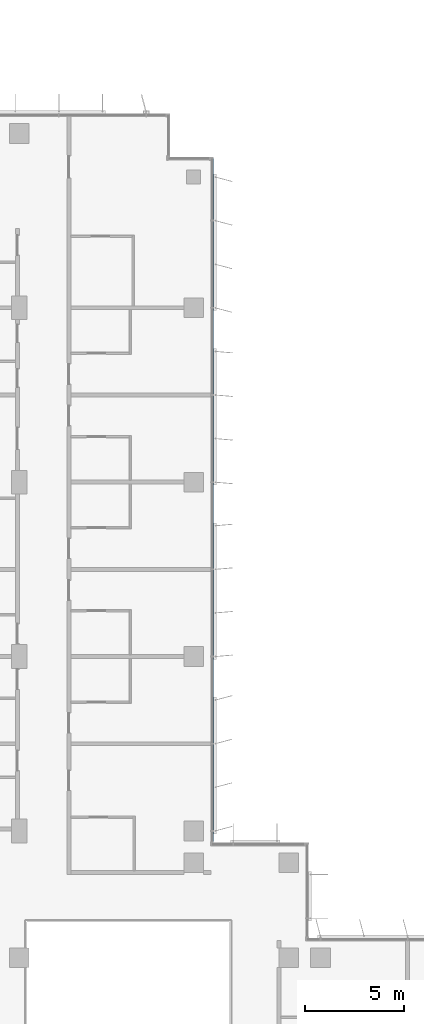
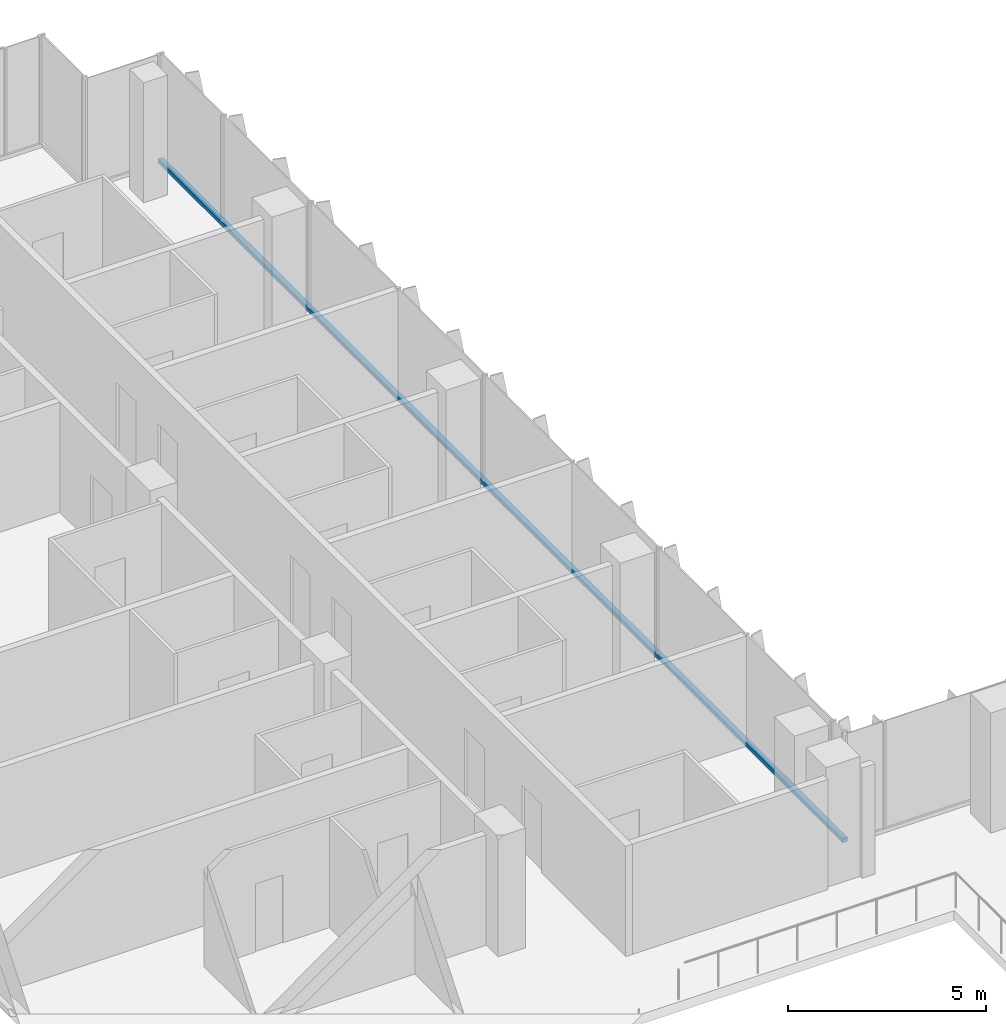
# One storey, part 6 of 21: 1 member, 1 element without a shape of its own.
"""IFC4 building model written with IfcOpenShell, lengths in metres."""

from ifc_helpers import new_model, si_unit, direction, frame, origin, origin_2d, place, context, subcontext, project, spatial, rectangle, extrude, material, material_profile, profile_set, type_object, element, aggregate, save


model = new_model("IFC4")

# Units and contexts
model_context = context("Model", 3, precision=1e-05, world=origin(), true_north=direction((0.0, 1.0)))
body_context = subcontext(model_context, "Body", "Model", "MODEL_VIEW")
ifc_project = project(units=[si_unit("LENGTHUNIT", "METRE"), si_unit("AREAUNIT", "SQUARE_METRE"), si_unit("VOLUMEUNIT", "CUBIC_METRE"), si_unit("PLANEANGLEUNIT", "RADIAN"), si_unit("MASSUNIT", "GRAM", prefix="KILO")], contexts=[model_context])

# Site, building, storey
site_placement = place(None, origin())
site = spatial("IfcSite", under=ifc_project, at=site_placement, CompositionType="ELEMENT")
building_placement = place(site_placement, origin())
building = spatial("IfcBuilding", under=site, at=building_placement, Name="Kemantara Hotel Tower", CompositionType="ELEMENT")
storey_placement = place(building_placement, frame((0.0, 0.0, 156.800048828125)))
storey = spatial("IfcBuildingStorey", under=building, at=storey_placement, Name="L38", CompositionType="ELEMENT", Elevation=156.800048828125)

# Curtain wall, member
ifc_material_1 = material(Name="Low-E tinted double insulated glass 36 mm", Category="glass")
curtain_wall_type = type_object("IfcCurtainWallType", Name="TOWER CURTAIN WALL, FRONT FACES", PredefinedType="USERDEFINED", material=ifc_material_1)
curtain_wall_placement = place(storey_placement, origin())
curtain_wall = element("IfcCurtainWall", 1, at=curtain_wall_placement, inside=storey, type_object=curtain_wall_type, Name="CW4 L38 T3-R17-1", ObjectType="TOWER CURTAIN WALL, FRONT FACES", PredefinedType="USERDEFINED")
ifc_material_2 = material(Name="Aluminium 6063-T6 bronze anodised", Category="aluminium")
ifc_material_profile = material_profile(ifc_material_2, rectangle(XDim=0.14990234375, YDim=0.1201171875, at=origin_2d()), Name="TOWER CURTAIN WALL, FRONT FACES TRANSOM")
ifc_profile_set = profile_set([ifc_material_profile], Name="Aluminium 6063-T6 bronze anodised")
member_type = type_object("IfcMemberType", Name="TOWER CURTAIN WALL, FRONT FACES TRANSOM", PredefinedType="USERDEFINED", material=ifc_profile_set)
member_placement = place(storey_placement, frame((21.925048828125, 26.800048828125, 0.06005859375), z_axis=(0.0, 1.0, 0.0), x_axis=(-1.0, 0.0, 0.0)))
member = element("IfcMember", 2, at=member_placement, type_object=member_type, Name="CW4 sill transom T3-R17-1", ObjectType="TRANSOM", PredefinedType="USERDEFINED", context=body_context, shape_type="SweptSolid", body=[
    extrude(rectangle(XDim=0.14990234375, YDim=0.1201171875, at=origin_2d()), origin(), (0.0, 0.0, 1.0), 34.599853515625),
])
aggregate(curtain_wall, [member])

save(model, "model.ifc")
